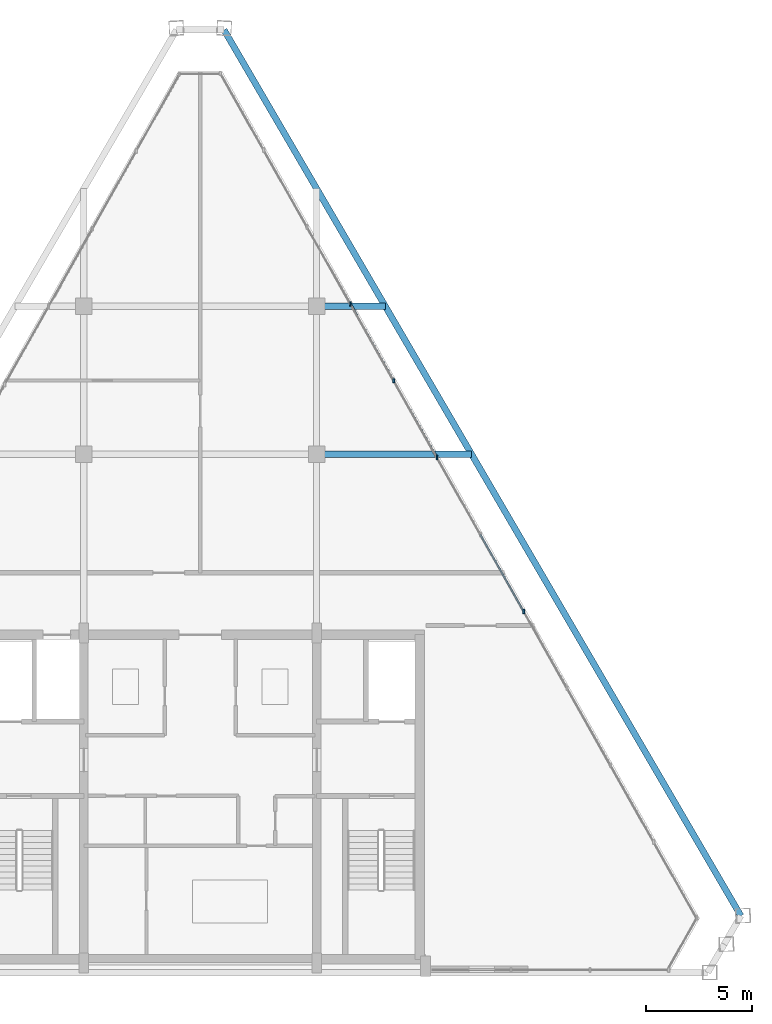
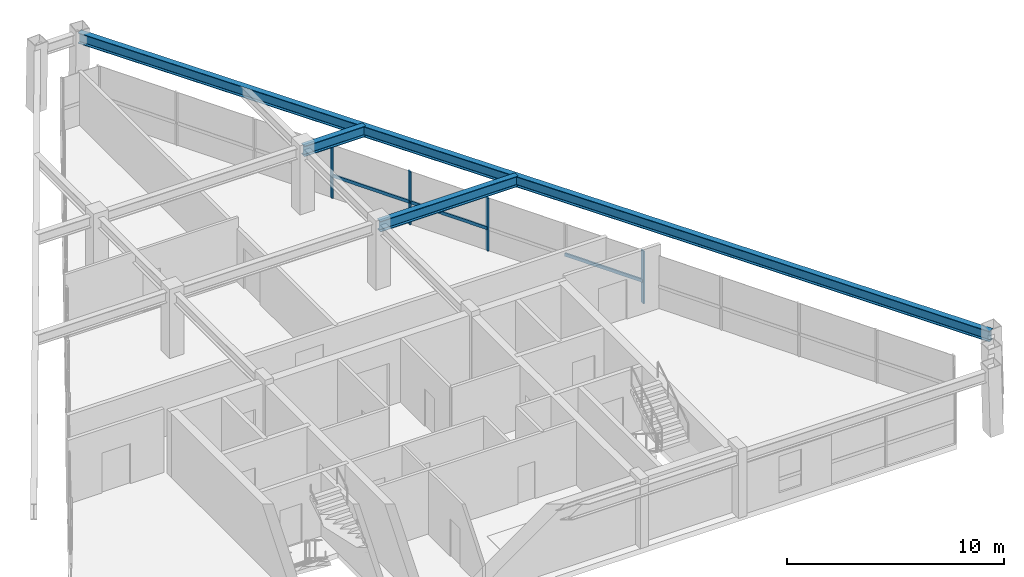
# One storey, part 7 of 12: 7 members, 3 beams, 1 element without a shape of its own.
"""IFC4 building model written with IfcOpenShell, lengths in metres."""

from ifc_helpers import new_model, si_unit, direction, frame, origin, origin_2d, place, context, subcontext, project, spatial, rectangle, i_section, extrude, source, transform, mapped, material, material_profile, profile_set, type_object, type_shapes, element, aggregate, save


model = new_model("IFC4")

# Units and contexts
model_context = context("Model", 3, precision=1e-05, world=origin(), true_north=direction((0.0, 1.0)))
body_context = subcontext(model_context, "Body", "Model", "MODEL_VIEW")
ifc_project = project(units=[si_unit("LENGTHUNIT", "METRE"), si_unit("AREAUNIT", "SQUARE_METRE"), si_unit("VOLUMEUNIT", "CUBIC_METRE"), si_unit("PLANEANGLEUNIT", "RADIAN"), si_unit("MASSUNIT", "GRAM", prefix="KILO")], contexts=[model_context])

# Site, building, storey
site_placement = place(None, origin())
site = spatial("IfcSite", under=ifc_project, at=site_placement, CompositionType="ELEMENT")
building_placement = place(site_placement, origin())
building = spatial("IfcBuilding", under=site, at=building_placement, Name="Varnakhor Terracotta Tower", CompositionType="ELEMENT")
storey_placement = place(building_placement, frame((0.0, 0.0, 321.39990234375)))
storey = spatial("IfcBuildingStorey", under=building, at=storey_placement, Name="L84 Crown", CompositionType="ELEMENT", Elevation=321.39990234375)

# Beams
ifc_material_1 = material(Name="Steel S355", Category="steel")
ifc_material_profile_1 = material_profile(ifc_material_1, i_section(OverallWidth=0.300048828125, OverallDepth=0.60009765625, WebThickness=0.015380859375, FlangeThickness=0.030029296875, FilletRadius=0.01806640625, at=origin_2d()), Name="HEB600")
ifc_profile_set_1 = profile_set([ifc_material_profile_1], Name="Steel S355")
beam_type = type_object("IfcBeamType", Name="BM-HEB600", PredefinedType="BEAM", material=ifc_profile_set_1)
shared_shape_1 = source(origin(), body_context, "Body", "SweptSolid", [
    extrude(i_section(OverallWidth=0.300048828125, OverallDepth=0.60009765625, WebThickness=0.015380859375, FlangeThickness=0.030029296875, FilletRadius=0.01806640625, at=origin_2d()), origin(), (0.0, 0.0, 1.0), 48.48681640625),
])
beam_1_placement = place(storey_placement, frame((25.55712890625, 2.685302734375, 3.300048828125), z_axis=(-0.503881982902, 0.863772509002, 0.0), x_axis=(-0.863772509002, -0.503881982902, 0.0)))
element("IfcBeam", 1, at=beam_1_placement, inside=storey, type_object=beam_type, Name="L84 Crown Perimeter Spandrel 4", PredefinedType="BEAM", context=body_context, shape_type="MappedRepresentation", body=[
    mapped(shared_shape_1, transform((0.0, 0.0, 0.0), scale=1.0)),
])
shared_shape_2 = source(origin(), body_context, "Body", "SweptSolid", [
    extrude(i_section(OverallWidth=0.300048828125, OverallDepth=0.60009765625, WebThickness=0.015380859375, FlangeThickness=0.030029296875, FilletRadius=0.01806640625, at=origin_2d()), origin(), (0.0, 0.0, 1.0), 7.33154296875),
])
beam_2_placement = place(storey_placement, frame((5.5, 24.5, 3.300048828125), z_axis=(1.0, 0.0, 0.0), x_axis=(0.0, 1.0, 0.0)))
element("IfcBeam", 2, at=beam_2_placement, inside=storey, type_object=beam_type, Name="L84 Crown Primary Girder EW2-3", PredefinedType="BEAM", context=body_context, shape_type="MappedRepresentation", body=[
    mapped(shared_shape_2, transform((0.0, 0.0, 0.0), scale=1.0)),
])
shared_shape_3 = source(origin(), body_context, "Body", "SweptSolid", [
    extrude(i_section(OverallWidth=0.300048828125, OverallDepth=0.60009765625, WebThickness=0.015380859375, FlangeThickness=0.030029296875, FilletRadius=0.01806640625, at=origin_2d()), origin(), (0.0, 0.0, 1.0), 3.248046875),
])
beam_3_placement = place(storey_placement, frame((5.5, 31.5, 3.300048828125), z_axis=(1.0, 0.0, 0.0), x_axis=(0.0, 1.0, 0.0)))
element("IfcBeam", 3, at=beam_3_placement, inside=storey, type_object=beam_type, Name="L84 Crown Primary Girder EW3-3", PredefinedType="BEAM", context=body_context, shape_type="MappedRepresentation", body=[
    mapped(shared_shape_3, transform((0.0, 0.0, 0.0), scale=1.0)),
])

# Curtain wall, members
ifc_material_2 = material(Name="Anodised Aluminium Curtain Wall System", Category="aluminium")
curtain_wall_type = type_object("IfcCurtainWallType", Name="CW-SYS-CROWN", PredefinedType="NOTDEFINED", material=ifc_material_2)
curtain_wall_placement = place(storey_placement, origin())
curtain_wall = element("IfcCurtainWall", 4, at=curtain_wall_placement, inside=storey, type_object=curtain_wall_type, Name="L84 Crown Facet Curtain Wall 3", PredefinedType="NOTDEFINED")
ifc_material_3 = material(Name="Anodised Aluminium 6063-T6", Category="aluminium")
ifc_material_profile_2 = material_profile(ifc_material_3, rectangle(XDim=0.080078125, YDim=0.205078125, at=origin_2d()), Name="ALU MULLION 80x205")
ifc_profile_set_2 = profile_set([ifc_material_profile_2], Name="Anodised Aluminium 6063-T6")
member_type_1 = type_object("IfcMemberType", Name="CWM-06", PredefinedType="MULLION", material=ifc_profile_set_2)
shared_shape_4 = source(origin(), body_context, "Body", "SweptSolid", [
    extrude(rectangle(XDim=0.080078125, YDim=0.205078125, at=origin_2d()), origin(), (0.0, 0.0, 1.0), 2.97998046875),
])
type_shapes(member_type_1, [shared_shape_4])
member_1_placement = place(storey_placement, frame((7.0966796875, 31.61474609375, 0.0), z_axis=(0.0, 0.0, 1.0), x_axis=(1.0, 0.0, 0.0)))
member_1 = element("IfcMember", 5, at=member_1_placement, type_object=member_type_1, Name="L84 Crown Facet Curtain Wall 3 Mullion 4", PredefinedType="MULLION", context=body_context, shape_type="MappedRepresentation", body=[
    mapped(shared_shape_4, transform((0.0, 0.0, 0.0), scale=1.0)),
])
member_2_placement = place(storey_placement, frame((9.1455078125, 27.979736328125, 0.0), z_axis=(0.0, 0.0, 1.0), x_axis=(1.0, 0.0, 0.0)))
member_2 = element("IfcMember", 6, at=member_2_placement, type_object=member_type_1, Name="L84 Crown Facet Curtain Wall 3 Mullion 5", PredefinedType="MULLION", context=body_context, shape_type="MappedRepresentation", body=[
    mapped(shared_shape_4, transform((0.0, 0.0, 0.0), scale=1.0)),
])
member_3_placement = place(storey_placement, frame((11.194580078125, 24.3447265625, 0.0), z_axis=(0.0, 0.0, 1.0), x_axis=(1.0, 0.0, 0.0)))
member_3 = element("IfcMember", 7, at=member_3_placement, type_object=member_type_1, Name="L84 Crown Facet Curtain Wall 3 Mullion 6", PredefinedType="MULLION", context=body_context, shape_type="MappedRepresentation", body=[
    mapped(shared_shape_4, transform((0.0, 0.0, 0.0), scale=1.0)),
])
member_4_placement = place(storey_placement, frame((15.292236328125, 17.074462890625, 0.0), z_axis=(0.0, 0.0, 1.0), x_axis=(1.0, 0.0, 0.0)))
member_4 = element("IfcMember", 8, at=member_4_placement, type_object=member_type_1, Name="L84 Crown Facet Curtain Wall 3 Mullion 8", PredefinedType="MULLION", context=body_context, shape_type="MappedRepresentation", body=[
    mapped(shared_shape_4, transform((0.0, 0.0, 0.0), scale=1.0)),
])
ifc_material_profile_3 = material_profile(ifc_material_3, rectangle(XDim=0.080078125, YDim=0.179931640625, at=origin_2d()), Name="ALU TRANSOM 80x180")
ifc_profile_set_3 = profile_set([ifc_material_profile_3], Name="Anodised Aluminium 6063-T6")
member_type_2 = type_object("IfcMemberType", Name="CWT-06", PredefinedType="USERDEFINED", material=ifc_profile_set_3)
shared_shape_5 = source(origin(), body_context, "Body", "SweptSolid", [
    extrude(rectangle(XDim=0.080078125, YDim=0.179931640625, at=origin_2d()), origin(), (0.0, 0.0, 1.0), 4.172607421875),
])
member_5_placement = place(storey_placement, frame((7.0966796875, 31.61474609375, 1.251708984375), z_axis=(0.491013870704, -0.87115175416, 0.0), x_axis=(0.87115175416, 0.491013870704, 0.0)))
member_5 = element("IfcMember", 9, at=member_5_placement, type_object=member_type_2, Name="L84 Crown Facet Curtain Wall 3 Transom 4", ObjectType="TRANSOM", PredefinedType="USERDEFINED", context=body_context, shape_type="MappedRepresentation", body=[
    mapped(shared_shape_5, transform((0.0, 0.0, 0.0), scale=1.0)),
])
shared_shape_6 = source(origin(), body_context, "Body", "SweptSolid", [
    extrude(rectangle(XDim=0.080078125, YDim=0.179931640625, at=origin_2d()), origin(), (0.0, 0.0, 1.0), 4.1728515625),
])
member_6_placement = place(storey_placement, frame((9.1455078125, 27.979736328125, 1.251708984375), z_axis=(0.491058272159, -0.87112672634, 0.0), x_axis=(0.87112672634, 0.491058272159, 0.0)))
member_6 = element("IfcMember", 10, at=member_6_placement, type_object=member_type_2, Name="L84 Crown Facet Curtain Wall 3 Transom 5", ObjectType="TRANSOM", PredefinedType="USERDEFINED", context=body_context, shape_type="MappedRepresentation", body=[
    mapped(shared_shape_6, transform((0.0, 0.0, 0.0), scale=1.0)),
])
member_7_placement = place(storey_placement, frame((13.243408203125, 20.709716796875, 1.251708984375), z_axis=(0.49098884437, -0.871165859469, 0.0), x_axis=(0.871165859469, 0.49098884437, 0.0)))
member_7 = element("IfcMember", 11, at=member_7_placement, type_object=member_type_2, Name="L84 Crown Facet Curtain Wall 3 Transom 7", ObjectType="TRANSOM", PredefinedType="USERDEFINED", context=body_context, shape_type="MappedRepresentation", body=[
    mapped(shared_shape_6, transform((0.0, 0.0, 0.0), scale=1.0)),
])
aggregate(curtain_wall, [member_1, member_5, member_2, member_6, member_3, member_7, member_4])

save(model, "model.ifc")
